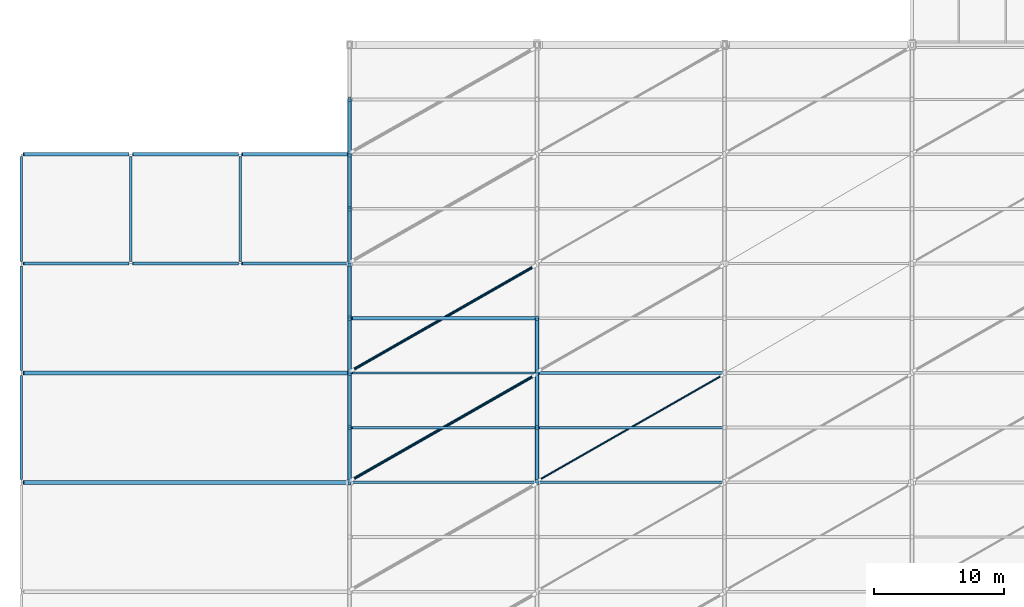
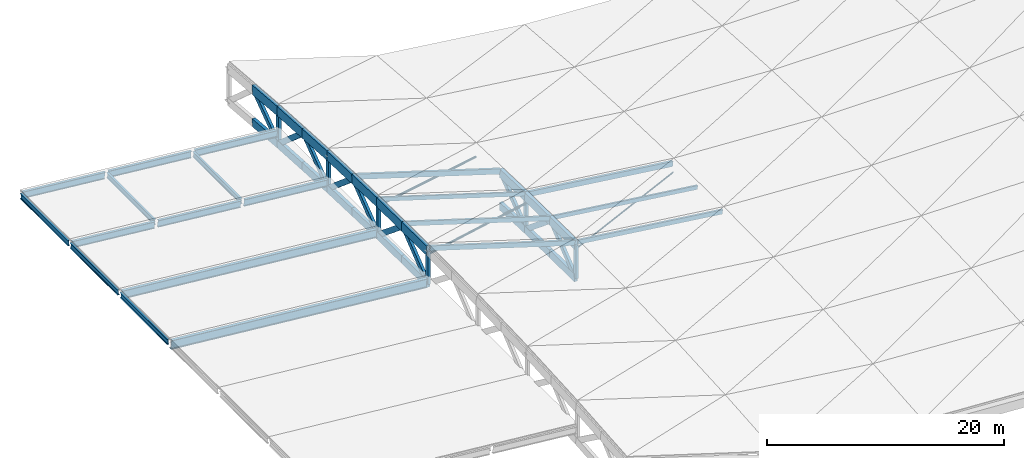
# One storey, part 3 of 22: 33 beams, 26 members.
"""IFC4 building model written with IfcOpenShell, lengths in metres."""

from ifc_helpers import new_model, si_unit, direction, frame, origin, origin_2d, place, context, subcontext, project, spatial, rectangle, hollow_circle, i_section, extrude, material, material_profile, profile_set, type_object, element, save


model = new_model("IFC4")

# Units and contexts
model_context = context("Model", 3, precision=1e-05, world=origin(), true_north=direction((0.0, 1.0)))
body_context = subcontext(model_context, "Body", "Model", "MODEL_VIEW")
ifc_project = project(units=[si_unit("LENGTHUNIT", "METRE"), si_unit("AREAUNIT", "SQUARE_METRE"), si_unit("VOLUMEUNIT", "CUBIC_METRE"), si_unit("PLANEANGLEUNIT", "RADIAN"), si_unit("MASSUNIT", "GRAM", prefix="KILO"), si_unit("THERMODYNAMICTEMPERATUREUNIT", "KELVIN")], contexts=[model_context])

# Site, building, storey
site_placement = place(None, origin())
site = spatial("IfcSite", under=ifc_project, at=site_placement, CompositionType="ELEMENT")
building_placement = place(site_placement, origin())
building = spatial("IfcBuilding", under=site, at=building_placement, Name="Nduvali Passage Aquatics Centre", CompositionType="ELEMENT")
storey_placement = place(building_placement, frame((0.0, 0.0, 21.60009765625)))
storey = spatial("IfcBuildingStorey", under=building, at=storey_placement, Name="RF", CompositionType="ELEMENT", Elevation=21.60009765625)

# Beams
ifc_material_1 = material(Name="Glulam GL32c", Category="wood")
ifc_material_profile_1 = material_profile(ifc_material_1, rectangle(XDim=0.320068359375, YDim=0.800048828125, at=origin_2d()), Name="GL32c 320x800")
ifc_profile_set_1 = profile_set([ifc_material_profile_1], Name="Glulam GL32c")
beam_type_1 = type_object("IfcBeamType", Name="STR-BM-GL32-BOT", PredefinedType="BEAM", material=ifc_profile_set_1)
for number, where, z_axis, x_axis, name in (
    (1, (25.199951171875, 58.800048828125, -3.274169921875), (0.0, 0.999929005763, -0.011915680183), (-1.0, 0.0, 0.0), "RF Pool Hall Roof Truss Bottom Chord R1 BC1-1695"),
    (2, (25.199951171875, 63.0, -3.32421875), (0.0, 0.999929696627, -0.011857563106), (-1.0, 0.0, 0.0), "RF Pool Hall Roof Truss Bottom Chord R1 BC1-1697"),
):
    element("IfcBeam", number, at=place(storey_placement, frame(where, z_axis=z_axis, x_axis=x_axis)), inside=storey, type_object=beam_type_1, Name=name, PredefinedType="BEAM", context=body_context, shape_type="SweptSolid", body=[
        extrude(rectangle(XDim=0.320068359375, YDim=0.800048828125, at=origin_2d()), origin(), (0.0, 0.0, 1.0), 4.2001953125),
    ])
beam_1_placement = place(storey_placement, frame((25.199951171875, 67.199951171875, -3.3740234375), z_axis=(0.0, 0.999361595677, -0.035726755876), x_axis=(-1.0, 0.0, 0.0)))
element("IfcBeam", 3, at=beam_1_placement, inside=storey, type_object=beam_type_1, Name="RF Pool Hall Roof Truss Bottom Chord R1 BC1-1699", PredefinedType="BEAM", context=body_context, shape_type="SweptSolid", body=[
    extrude(rectangle(XDim=0.320068359375, YDim=0.800048828125, at=origin_2d()), origin(), (0.0, 0.0, 1.0), 4.20263671875),
])
beam_2_placement = place(storey_placement, frame((25.199951171875, 71.39990234375, -3.524169921875), z_axis=(0.0, 0.999363742023, -0.035666666915), x_axis=(-1.0, 0.0, 0.0)))
element("IfcBeam", 4, at=beam_2_placement, inside=storey, type_object=beam_type_1, Name="RF Pool Hall Roof Truss Bottom Chord R1 BC1-1701", PredefinedType="BEAM", context=body_context, shape_type="SweptSolid", body=[
    extrude(rectangle(XDim=0.320068359375, YDim=0.800048828125, at=origin_2d()), origin(), (0.0, 0.0, 1.0), 4.202880859375),
])
for number, where, z_axis, x_axis, name in (
    (5, (25.199951171875, 75.60009765625, -3.674072265625), (0.0, 0.998233110761, -0.059419328339), (-1.0, 0.0, 0.0), "RF Pool Hall Roof Truss Bottom Chord R1 BC1-1703"),
    (6, (25.199951171875, 79.800048828125, -3.924072265625), (0.0, 0.998233110761, -0.059419328339), (-1.0, 0.0, 0.0), "RF Pool Hall Roof Truss Bottom Chord R1 BC1-1705"),
):
    element("IfcBeam", number, at=place(storey_placement, frame(where, z_axis=z_axis, x_axis=x_axis)), inside=storey, type_object=beam_type_1, Name=name, PredefinedType="BEAM", context=body_context, shape_type="SweptSolid", body=[
        extrude(rectangle(XDim=0.320068359375, YDim=0.800048828125, at=origin_2d()), origin(), (0.0, 0.0, 1.0), 4.207275390625),
    ])
beam_3_placement = place(storey_placement, frame((25.199951171875, 84.0, -4.174072265625), z_axis=(0.0, 0.996543760423, -0.083069450238), x_axis=(-1.0, 0.0, 0.0)))
element("IfcBeam", 7, at=beam_3_placement, inside=storey, type_object=beam_type_1, Name="RF Pool Hall Roof Truss Bottom Chord R1 BC1-1707", PredefinedType="BEAM", context=body_context, shape_type="SweptSolid", body=[
    extrude(rectangle(XDim=0.320068359375, YDim=0.800048828125, at=origin_2d()), origin(), (0.0, 0.0, 1.0), 4.214599609375),
])
for number, where, z_axis, x_axis, name in (
    (8, (39.60009765625, 58.800048828125, -7.722900390625), (0.0, 0.999929696627, -0.011857563106), (-1.0, 0.0, 0.0), "RF Pool Hall Roof Truss Bottom Chord R2 BC1-1727"),
    (9, (39.60009765625, 63.0, -7.772705078125), (0.0, 0.999929005763, -0.011915680183), (-1.0, 0.0, 0.0), "RF Pool Hall Roof Truss Bottom Chord R2 BC1-1729"),
):
    element("IfcBeam", number, at=place(storey_placement, frame(where, z_axis=z_axis, x_axis=x_axis)), inside=storey, type_object=beam_type_1, Name=name, PredefinedType="BEAM", context=body_context, shape_type="SweptSolid", body=[
        extrude(rectangle(XDim=0.320068359375, YDim=0.800048828125, at=origin_2d()), origin(), (0.0, 0.0, 1.0), 4.2001953125),
    ])
beam_4_placement = place(storey_placement, frame((39.60009765625, 67.199951171875, -7.82275390625), z_axis=(0.0, 0.999361595677, -0.035726755876), x_axis=(-1.0, 0.0, 0.0)))
element("IfcBeam", 10, at=beam_4_placement, inside=storey, type_object=beam_type_1, Name="RF Pool Hall Roof Truss Bottom Chord R2 BC1-1731", PredefinedType="BEAM", context=body_context, shape_type="SweptSolid", body=[
    extrude(rectangle(XDim=0.320068359375, YDim=0.800048828125, at=origin_2d()), origin(), (0.0, 0.0, 1.0), 4.20263671875),
])
ifc_material_profile_2 = material_profile(ifc_material_1, rectangle(XDim=0.320068359375, YDim=0.9599609375, at=origin_2d()), Name="GL32c 320x960")
ifc_profile_set_2 = profile_set([ifc_material_profile_2], Name="Glulam GL32c")
beam_type_2 = type_object("IfcBeamType", Name="STR-BM-GL32-END", PredefinedType="BEAM", material=ifc_profile_set_2)
for number, where, z_axis, x_axis, name in (
    (11, (25.199951171875, 58.800048828125, 0.1259765625), (0.0, 0.999929005763, -0.011915680183), (-1.0, 0.0, 0.0), "RF Pool Hall Roof Truss Top Chord R1 TC0-1694"),
    (12, (25.199951171875, 63.0, 0.075927734375), (0.0, 0.999929005763, -0.011915680183), (-1.0, 0.0, 0.0), "RF Pool Hall Roof Truss Top Chord R1 TC0-1696"),
):
    element("IfcBeam", number, at=place(storey_placement, frame(where, z_axis=z_axis, x_axis=x_axis)), inside=storey, type_object=beam_type_2, Name=name, PredefinedType="BEAM", context=body_context, shape_type="SweptSolid", body=[
        extrude(rectangle(XDim=0.320068359375, YDim=0.9599609375, at=origin_2d()), origin(), (0.0, 0.0, 1.0), 4.2001953125),
    ])
beam_5_placement = place(storey_placement, frame((25.199951171875, 67.199951171875, 0.02587890625), z_axis=(0.0, 0.999363668121, -0.035668737559), x_axis=(-1.0, 0.0, 0.0)))
element("IfcBeam", 13, at=beam_5_placement, inside=storey, type_object=beam_type_2, Name="RF Pool Hall Roof Truss Top Chord R1 TC0-1698", PredefinedType="BEAM", context=body_context, shape_type="SweptSolid", body=[
    extrude(rectangle(XDim=0.320068359375, YDim=0.9599609375, at=origin_2d()), origin(), (0.0, 0.0, 1.0), 4.20263671875),
])
beam_6_placement = place(storey_placement, frame((25.199951171875, 71.39990234375, -0.1240234375), z_axis=(0.0, 0.99936166982, -0.035724681873), x_axis=(-1.0, 0.0, 0.0)))
element("IfcBeam", 14, at=beam_6_placement, inside=storey, type_object=beam_type_2, Name="RF Pool Hall Roof Truss Top Chord R1 TC0-1700", PredefinedType="BEAM", context=body_context, shape_type="SweptSolid", body=[
    extrude(rectangle(XDim=0.320068359375, YDim=0.9599609375, at=origin_2d()), origin(), (0.0, 0.0, 1.0), 4.202880859375),
])
for number, where, z_axis, x_axis, name in (
    (15, (25.199951171875, 75.60009765625, -0.274169921875), (0.0, 0.998233110761, -0.059419328339), (-1.0, 0.0, 0.0), "RF Pool Hall Roof Truss Top Chord R1 TC0-1702"),
    (16, (25.199951171875, 79.800048828125, -0.524169921875), (0.0, 0.998233110761, -0.059419328339), (-1.0, 0.0, 0.0), "RF Pool Hall Roof Truss Top Chord R1 TC0-1704"),
):
    element("IfcBeam", number, at=place(storey_placement, frame(where, z_axis=z_axis, x_axis=x_axis)), inside=storey, type_object=beam_type_2, Name=name, PredefinedType="BEAM", context=body_context, shape_type="SweptSolid", body=[
        extrude(rectangle(XDim=0.320068359375, YDim=0.9599609375, at=origin_2d()), origin(), (0.0, 0.0, 1.0), 4.207275390625),
    ])
beam_7_placement = place(storey_placement, frame((25.199951171875, 84.0, -0.774169921875), z_axis=(0.0, 0.996548554241, -0.083011921073), x_axis=(-1.0, 0.0, 0.0)))
element("IfcBeam", 17, at=beam_7_placement, inside=storey, type_object=beam_type_2, Name="RF Pool Hall Roof Truss Top Chord R1 TC0-1706", PredefinedType="BEAM", context=body_context, shape_type="SweptSolid", body=[
    extrude(rectangle(XDim=0.320068359375, YDim=0.9599609375, at=origin_2d()), origin(), (0.0, 0.0, 1.0), 4.214599609375),
])
ifc_material_profile_3 = material_profile(ifc_material_1, rectangle(XDim=0.320068359375, YDim=0.89990234375, at=origin_2d()), Name="GL32c 320x900")
ifc_profile_set_3 = profile_set([ifc_material_profile_3], Name="Glulam GL32c")
beam_type_3 = type_object("IfcBeamType", Name="STR-BM-GL32-TOP", PredefinedType="BEAM", material=ifc_profile_set_3)
for number, where, z_axis, x_axis, name in (
    (18, (39.60009765625, 58.800048828125, -4.32275390625), (0.0, 0.999929005763, -0.011915680183), (-1.0, 0.0, 0.0), "RF Pool Hall Roof Truss Top Chord R2 TC1-1726"),
    (19, (39.60009765625, 63.0, -4.372802734375), (0.0, 0.999929005763, -0.011915680183), (-1.0, 0.0, 0.0), "RF Pool Hall Roof Truss Top Chord R2 TC1-1728"),
):
    element("IfcBeam", number, at=place(storey_placement, frame(where, z_axis=z_axis, x_axis=x_axis)), inside=storey, type_object=beam_type_3, Name=name, PredefinedType="BEAM", context=body_context, shape_type="SweptSolid", body=[
        extrude(rectangle(XDim=0.320068359375, YDim=0.89990234375, at=origin_2d()), origin(), (0.0, 0.0, 1.0), 4.2001953125),
    ])
beam_8_placement = place(storey_placement, frame((39.60009765625, 67.199951171875, -4.4228515625), z_axis=(0.0, 0.999363668121, -0.035668737559), x_axis=(-1.0, 0.0, 0.0)))
element("IfcBeam", 20, at=beam_8_placement, inside=storey, type_object=beam_type_3, Name="RF Pool Hall Roof Truss Top Chord R2 TC1-1730", PredefinedType="BEAM", context=body_context, shape_type="SweptSolid", body=[
    extrude(rectangle(XDim=0.320068359375, YDim=0.89990234375, at=origin_2d()), origin(), (0.0, 0.0, 1.0), 4.20263671875),
])
ifc_material_2 = material(Name="Steel S355", Category="steel")
ifc_material_profile_4 = material_profile(ifc_material_2, i_section(OverallWidth=0.210693359375, OverallDepth=0.53955078125, WebThickness=0.01171875, FlangeThickness=0.018798828125, FilletRadius=0.0126953125, at=origin_2d()), Name="UKB 533x210x109")
ifc_profile_set_4 = profile_set([ifc_material_profile_4], Name="Steel S355")
beam_type_4 = type_object("IfcBeamType", Name="STR-BM-UKB533", PredefinedType="BEAM", material=ifc_profile_set_4)
for number, where, z_axis, x_axis, name in (
    (21, (8.39990234375, 75.77001953125, -1.393310546875), (0.0, 1.0, 0.0), (-1.0, 0.0, 0.0), "RF Diving Roof N-S Girder B6-1646"),
    (22, (16.800048828125, 75.77001953125, -2.1767578125), (0.0, 1.0, 0.0), (-1.0, 0.0, 0.0), "RF Diving Roof N-S Girder B6-1648"),
):
    element("IfcBeam", number, at=place(storey_placement, frame(where, z_axis=z_axis, x_axis=x_axis)), inside=storey, type_object=beam_type_4, Name=name, PredefinedType="BEAM", context=body_context, shape_type="SweptSolid", body=[
        extrude(i_section(OverallWidth=0.210693359375, OverallDepth=0.53955078125, WebThickness=0.01171875, FlangeThickness=0.018798828125, FilletRadius=0.0126953125, at=origin_2d()), origin(), (0.0, 0.0, 1.0), 8.06005859375),
    ])
ifc_material_profile_5 = material_profile(ifc_material_2, i_section(OverallWidth=0.210693359375, OverallDepth=0.53955078125, WebThickness=0.01171875, FlangeThickness=0.018798828125, FilletRadius=0.0126953125, at=origin_2d()), Name="UKB 533x210x109")
ifc_profile_set_5 = profile_set([ifc_material_profile_5], Name="Steel S355")
beam_type_5 = type_object("IfcBeamType", Name="STR-BM-UKB533-EXT", PredefinedType="BEAM", material=ifc_profile_set_5)
beam_9_placement = place(storey_placement, frame((0.0, 59.0, -0.610107421875), z_axis=(0.0, 1.0, 0.0), x_axis=(-1.0, 0.0, 0.0)))
element("IfcBeam", 23, at=beam_9_placement, inside=storey, type_object=beam_type_5, Name="RF Diving Roof N-S Girder B6E-1642", PredefinedType="BEAM", context=body_context, shape_type="SweptSolid", body=[
    extrude(i_section(OverallWidth=0.210693359375, OverallDepth=0.53955078125, WebThickness=0.01171875, FlangeThickness=0.018798828125, FilletRadius=0.0126953125, at=origin_2d()), origin(), (0.0, 0.0, 1.0), 8.0),
])
beam_10_placement = place(storey_placement, frame((0.0, 67.39990234375, -0.610107421875), z_axis=(0.0, 1.0, 0.0), x_axis=(-1.0, 0.0, 0.0)))
element("IfcBeam", 24, at=beam_10_placement, inside=storey, type_object=beam_type_5, Name="RF Diving Roof N-S Girder B6E-1643", PredefinedType="BEAM", context=body_context, shape_type="SweptSolid", body=[
    extrude(i_section(OverallWidth=0.210693359375, OverallDepth=0.53955078125, WebThickness=0.01171875, FlangeThickness=0.018798828125, FilletRadius=0.0126953125, at=origin_2d()), origin(), (0.0, 0.0, 1.0), 8.030029296875),
])
beam_11_placement = place(storey_placement, frame((0.0, 75.77001953125, -0.610107421875), z_axis=(0.0, 1.0, 0.0), x_axis=(-1.0, 0.0, 0.0)))
element("IfcBeam", 25, at=beam_11_placement, inside=storey, type_object=beam_type_5, Name="RF Diving Roof N-S Girder B6E-1644", PredefinedType="BEAM", context=body_context, shape_type="SweptSolid", body=[
    extrude(i_section(OverallWidth=0.210693359375, OverallDepth=0.53955078125, WebThickness=0.01171875, FlangeThickness=0.018798828125, FilletRadius=0.0126953125, at=origin_2d()), origin(), (0.0, 0.0, 1.0), 8.06005859375),
])
ifc_material_profile_6 = material_profile(ifc_material_2, i_section(OverallWidth=0.253662109375, OverallDepth=0.68359375, WebThickness=0.012451171875, FlangeThickness=0.01904296875, FilletRadius=0.01513671875, at=origin_2d()), Name="UKB 686x254x140")
ifc_profile_set_6 = profile_set([ifc_material_profile_6], Name="Steel S355")
beam_type_6 = type_object("IfcBeamType", Name="STR-BM-UKB686", PredefinedType="BEAM", material=ifc_profile_set_6)
beam_12_placement = place(storey_placement, frame((0.14990234375, 75.60009765625, -0.68212890625), z_axis=(0.995357989666, 0.0, -0.096241739431), x_axis=(0.0, 1.0, 0.0)))
element("IfcBeam", 26, at=beam_12_placement, inside=storey, type_object=beam_type_6, Name="RF Diving Sloped Rafter B4-1658", PredefinedType="BEAM", context=body_context, shape_type="SweptSolid", body=[
    extrude(i_section(OverallWidth=0.253662109375, OverallDepth=0.68359375, WebThickness=0.012451171875, FlangeThickness=0.01904296875, FilletRadius=0.01513671875, at=origin_2d()), origin(), (0.0, 0.0, 1.0), 8.137939453125),
])
beam_13_placement = place(storey_placement, frame((8.550048828125, 75.60009765625, -1.46533203125), z_axis=(0.995354837266, 0.0, -0.096274336823), x_axis=(0.0, 1.0, 0.0)))
element("IfcBeam", 27, at=beam_13_placement, inside=storey, type_object=beam_type_6, Name="RF Diving Sloped Rafter B4-1659", PredefinedType="BEAM", context=body_context, shape_type="SweptSolid", body=[
    extrude(i_section(OverallWidth=0.253662109375, OverallDepth=0.68359375, WebThickness=0.012451171875, FlangeThickness=0.01904296875, FilletRadius=0.01513671875, at=origin_2d()), origin(), (0.0, 0.0, 1.0), 8.1376953125),
])
beam_14_placement = place(storey_placement, frame((16.949951171875, 75.60009765625, -2.248779296875), z_axis=(0.995357989666, 0.0, -0.096241739431), x_axis=(0.0, 1.0, 0.0)))
element("IfcBeam", 28, at=beam_14_placement, inside=storey, type_object=beam_type_6, Name="RF Diving Sloped Rafter B4-1660", PredefinedType="BEAM", context=body_context, shape_type="SweptSolid", body=[
    extrude(i_section(OverallWidth=0.253662109375, OverallDepth=0.68359375, WebThickness=0.012451171875, FlangeThickness=0.01904296875, FilletRadius=0.01513671875, at=origin_2d()), origin(), (0.0, 0.0, 1.0), 8.137939453125),
])
ifc_material_profile_7 = material_profile(ifc_material_2, i_section(OverallWidth=0.253662109375, OverallDepth=0.68359375, WebThickness=0.012451171875, FlangeThickness=0.01904296875, FilletRadius=0.01513671875, at=origin_2d()), Name="UKB 686x254x140")
ifc_profile_set_7 = profile_set([ifc_material_profile_7], Name="Steel S355")
beam_type_7 = type_object("IfcBeamType", Name="STR-BM-UKB686-EXT", PredefinedType="BEAM", material=ifc_profile_set_7)
beam_15_placement = place(storey_placement, frame((0.14990234375, 84.0, -0.68212890625), z_axis=(0.995357989666, 0.0, -0.096241739431), x_axis=(0.0, 1.0, 0.0)))
element("IfcBeam", 29, at=beam_15_placement, inside=storey, type_object=beam_type_7, Name="RF Diving Sloped Rafter B4E-1661", PredefinedType="BEAM", context=body_context, shape_type="SweptSolid", body=[
    extrude(i_section(OverallWidth=0.253662109375, OverallDepth=0.68359375, WebThickness=0.012451171875, FlangeThickness=0.01904296875, FilletRadius=0.01513671875, at=origin_2d()), origin(), (0.0, 0.0, 1.0), 8.137939453125),
])
beam_16_placement = place(storey_placement, frame((8.550048828125, 84.0, -1.46533203125), z_axis=(0.995354837266, 0.0, -0.096274336823), x_axis=(0.0, 1.0, 0.0)))
element("IfcBeam", 30, at=beam_16_placement, inside=storey, type_object=beam_type_7, Name="RF Diving Sloped Rafter B4E-1662", PredefinedType="BEAM", context=body_context, shape_type="SweptSolid", body=[
    extrude(i_section(OverallWidth=0.253662109375, OverallDepth=0.68359375, WebThickness=0.012451171875, FlangeThickness=0.01904296875, FilletRadius=0.01513671875, at=origin_2d()), origin(), (0.0, 0.0, 1.0), 8.1376953125),
])
beam_17_placement = place(storey_placement, frame((16.949951171875, 84.0, -2.248779296875), z_axis=(0.995357989666, 0.0, -0.096241739431), x_axis=(0.0, 1.0, 0.0)))
element("IfcBeam", 31, at=beam_17_placement, inside=storey, type_object=beam_type_7, Name="RF Diving Sloped Rafter B4E-1663", PredefinedType="BEAM", context=body_context, shape_type="SweptSolid", body=[
    extrude(i_section(OverallWidth=0.253662109375, OverallDepth=0.68359375, WebThickness=0.012451171875, FlangeThickness=0.01904296875, FilletRadius=0.01513671875, at=origin_2d()), origin(), (0.0, 0.0, 1.0), 8.137939453125),
])
ifc_material_profile_8 = material_profile(ifc_material_2, i_section(OverallWidth=0.29248046875, OverallDepth=0.8408203125, WebThickness=0.0146484375, FlangeThickness=0.021728515625, FilletRadius=0.017822265625, at=origin_2d()), Name="UKB 838x292x194")
ifc_profile_set_8 = profile_set([ifc_material_profile_8], Name="Steel S355")
beam_type_8 = type_object("IfcBeamType", Name="STR-BM-UKB838", PredefinedType="BEAM", material=ifc_profile_set_8)
beam_18_placement = place(storey_placement, frame((0.14990234375, 67.199951171875, -0.760498046875), z_axis=(0.995576574494, 0.0, -0.093953628551), x_axis=(0.0, 1.0, 0.0)))
element("IfcBeam", 32, at=beam_18_placement, inside=storey, type_object=beam_type_8, Name="RF Diving Long-Span Sloped Rafter B4B-1657", PredefinedType="BEAM", context=body_context, shape_type="SweptSolid", body=[
    extrude(i_section(OverallWidth=0.29248046875, OverallDepth=0.8408203125, WebThickness=0.0146484375, FlangeThickness=0.021728515625, FilletRadius=0.017822265625, at=origin_2d()), origin(), (0.0, 0.0, 1.0), 25.0107421875),
])
ifc_material_profile_9 = material_profile(ifc_material_2, i_section(OverallWidth=0.30419921875, OverallDepth=0.910400390625, WebThickness=0.015869140625, FlangeThickness=0.02392578125, FilletRadius=0.01904296875, at=origin_2d()), Name="UKB 914x305x224")
ifc_profile_set_9 = profile_set([ifc_material_profile_9], Name="Steel S355")
beam_type_9 = type_object("IfcBeamType", Name="STR-BM-UKB914", PredefinedType="BEAM", material=ifc_profile_set_9)
beam_19_placement = place(storey_placement, frame((0.14990234375, 58.800048828125, -0.79541015625), z_axis=(0.995576574494, 0.0, -0.093953628551), x_axis=(0.0, 1.0, 0.0)))
element("IfcBeam", 33, at=beam_19_placement, inside=storey, type_object=beam_type_9, Name="RF Diving Long-Span Sloped Rafter B4A-1656", PredefinedType="BEAM", context=body_context, shape_type="SweptSolid", body=[
    extrude(i_section(OverallWidth=0.30419921875, OverallDepth=0.910400390625, WebThickness=0.015869140625, FlangeThickness=0.02392578125, FilletRadius=0.01904296875, at=origin_2d()), origin(), (0.0, 0.0, 1.0), 25.0107421875),
])

# Members
ifc_material_profile_10 = material_profile(ifc_material_2, hollow_circle(Radius=0.06982421875, WallThickness=0.00634765625, at=origin_2d()), Name="CHS 139.7x6.3")
ifc_profile_set_10 = profile_set([ifc_material_profile_10], Name="Steel S355")
member_type_1 = type_object("IfcMemberType", Name="STR-MEM-CHS139", PredefinedType="BRACE", material=ifc_profile_set_10)
member_1_placement = place(storey_placement, frame((39.800048828125, 59.0, -4.90087890625), z_axis=(0.862054679034, 0.492602673734, -0.11918194572), x_axis=(-0.496138938357, 0.868243142124, 0.0)))
element("IfcMember", 34, at=member_1_placement, inside=storey, type_object=member_type_1, Name="Pool Hall Roof Wind Brace B2-P5A", PredefinedType="BRACE", context=body_context, shape_type="SweptSolid", body=[
    extrude(hollow_circle(Radius=0.06982421875, WallThickness=0.00634765625, at=origin_2d()), origin(), (0.0, 0.0, 1.0), 16.240234375),
])
ifc_material_profile_11 = material_profile(ifc_material_2, hollow_circle(Radius=0.109619140625, WallThickness=0.008056640625, at=origin_2d()), Name="CHS 219.1x8.0")
ifc_profile_set_11 = profile_set([ifc_material_profile_11], Name="Steel S355")
member_type_2 = type_object("IfcMemberType", Name="STR-MEM-CHS219", PredefinedType="BRACE", material=ifc_profile_set_11)
member_2_placement = place(storey_placement, frame((25.39990234375, 59.0, -0.422119140625), z_axis=(0.835223930886, 0.477270817649, -0.273154813055), x_axis=(-0.496138938357, 0.868243142124, 0.0)))
element("IfcMember", 35, at=member_2_placement, inside=storey, type_object=member_type_2, Name="Pool Hall Roof Wind Brace B1-P5A", PredefinedType="BRACE", context=body_context, shape_type="SweptSolid", body=[
    extrude(hollow_circle(Radius=0.109619140625, WallThickness=0.008056640625, at=origin_2d()), origin(), (0.0, 0.0, 1.0), 16.761962890625),
])
member_3_placement = place(storey_placement, frame((25.39990234375, 67.39990234375, -0.522216796875), z_axis=(0.832456803693, 0.47568960211, -0.284139177921), x_axis=(-0.496138938357, 0.868243142124, 0.0)))
element("IfcMember", 36, at=member_3_placement, inside=storey, type_object=member_type_2, Name="Pool Hall Roof Wind Brace B1-P6A", PredefinedType="BRACE", context=body_context, shape_type="SweptSolid", body=[
    extrude(hollow_circle(Radius=0.109619140625, WallThickness=0.008056640625, at=origin_2d()), origin(), (0.0, 0.0, 1.0), 16.817626953125),
])
ifc_material_3 = material(Name="Glulam GL28h", Category="wood")
ifc_material_profile_12 = material_profile(ifc_material_3, rectangle(XDim=0.260009765625, YDim=0.52001953125, at=origin_2d()), Name="GL28h 260x520")
ifc_profile_set_12 = profile_set([ifc_material_profile_12], Name="Glulam GL28h")
member_type_3 = type_object("IfcMemberType", Name="STR-MEM-GL-DIAG", PredefinedType="CHORD", material=ifc_profile_set_12)
member_4_placement = place(storey_placement, frame((25.199951171875, 58.800048828125, -3.274169921875), z_axis=(0.0, 0.781763575378, 0.623574945145), x_axis=(-1.0, 0.0, 0.0)))
element("IfcMember", 37, at=member_4_placement, inside=storey, type_object=member_type_3, Name="Pool Hall Roof Truss Web Diagonal R1-9", PredefinedType="CHORD", context=body_context, shape_type="SweptSolid", body=[
    extrude(rectangle(XDim=0.260009765625, YDim=0.52001953125, at=origin_2d()), origin(), (0.0, 0.0, 1.0), 5.372314453125),
])
member_5_placement = place(storey_placement, frame((25.199951171875, 63.0, 0.075927734375), z_axis=(0.0, 0.772727041362, -0.63473846547), x_axis=(-1.0, 0.0, 0.0)))
element("IfcMember", 38, at=member_5_placement, inside=storey, type_object=member_type_3, Name="Pool Hall Roof Truss Web Diagonal R1-10", PredefinedType="CHORD", context=body_context, shape_type="SweptSolid", body=[
    extrude(rectangle(XDim=0.260009765625, YDim=0.52001953125, at=origin_2d()), origin(), (0.0, 0.0, 1.0), 5.435302734375),
])
member_6_placement = place(storey_placement, frame((25.199951171875, 67.199951171875, -3.3740234375), z_axis=(0.0, 0.790867256885, 0.611987730259), x_axis=(-1.0, 0.0, 0.0)))
element("IfcMember", 39, at=member_6_placement, inside=storey, type_object=member_type_3, Name="Pool Hall Roof Truss Web Diagonal R1-11", PredefinedType="CHORD", context=body_context, shape_type="SweptSolid", body=[
    extrude(rectangle(XDim=0.260009765625, YDim=0.52001953125, at=origin_2d()), origin(), (0.0, 0.0, 1.0), 5.310546875),
])
member_7_placement = place(storey_placement, frame((25.199951171875, 71.39990234375, -0.1240234375), z_axis=(0.0, 0.763741468965, -0.64552224484), x_axis=(-1.0, 0.0, 0.0)))
element("IfcMember", 40, at=member_7_placement, inside=storey, type_object=member_type_3, Name="Pool Hall Roof Truss Web Diagonal R1-12", PredefinedType="CHORD", context=body_context, shape_type="SweptSolid", body=[
    extrude(rectangle(XDim=0.260009765625, YDim=0.52001953125, at=origin_2d()), origin(), (0.0, 0.0, 1.0), 5.49951171875),
])
member_8_placement = place(storey_placement, frame((25.199951171875, 75.60009765625, -3.674072265625), z_axis=(0.0, 0.800005580426, 0.599992559359), x_axis=(-1.0, 0.0, 0.0)))
element("IfcMember", 41, at=member_8_placement, inside=storey, type_object=member_type_3, Name="Pool Hall Roof Truss Web Diagonal R1-13", PredefinedType="CHORD", context=body_context, shape_type="SweptSolid", body=[
    extrude(rectangle(XDim=0.260009765625, YDim=0.52001953125, at=origin_2d()), origin(), (0.0, 0.0, 1.0), 5.25),
])
member_9_placement = place(storey_placement, frame((25.199951171875, 79.800048828125, -0.524169921875), z_axis=(0.0, 0.754803851974, -0.655950566007), x_axis=(-1.0, 0.0, 0.0)))
element("IfcMember", 42, at=member_9_placement, inside=storey, type_object=member_type_3, Name="Pool Hall Roof Truss Web Diagonal R1-14", PredefinedType="CHORD", context=body_context, shape_type="SweptSolid", body=[
    extrude(rectangle(XDim=0.260009765625, YDim=0.52001953125, at=origin_2d()), origin(), (0.0, 0.0, 1.0), 5.564208984375),
])
member_10_placement = place(storey_placement, frame((25.199951171875, 84.0, -4.174072265625), z_axis=(0.0, 0.809144712888, 0.587609422665), x_axis=(-1.0, 0.0, 0.0)))
element("IfcMember", 43, at=member_10_placement, inside=storey, type_object=member_type_3, Name="Pool Hall Roof Truss Web Diagonal R1-15", PredefinedType="CHORD", context=body_context, shape_type="SweptSolid", body=[
    extrude(rectangle(XDim=0.260009765625, YDim=0.52001953125, at=origin_2d()), origin(), (0.0, 0.0, 1.0), 5.190673828125),
])
member_11_placement = place(storey_placement, frame((39.60009765625, 58.800048828125, -7.722900390625), z_axis=(0.0, 0.781763575378, 0.623574945145), x_axis=(-1.0, 0.0, 0.0)))
element("IfcMember", 44, at=member_11_placement, inside=storey, type_object=member_type_3, Name="Pool Hall Roof Truss Web Diagonal R2-9", PredefinedType="CHORD", context=body_context, shape_type="SweptSolid", body=[
    extrude(rectangle(XDim=0.260009765625, YDim=0.52001953125, at=origin_2d()), origin(), (0.0, 0.0, 1.0), 5.372314453125),
])
member_12_placement = place(storey_placement, frame((39.60009765625, 63.0, -4.372802734375), z_axis=(0.0, 0.772727041362, -0.63473846547), x_axis=(-1.0, 0.0, 0.0)))
element("IfcMember", 45, at=member_12_placement, inside=storey, type_object=member_type_3, Name="Pool Hall Roof Truss Web Diagonal R2-10", PredefinedType="CHORD", context=body_context, shape_type="SweptSolid", body=[
    extrude(rectangle(XDim=0.260009765625, YDim=0.52001953125, at=origin_2d()), origin(), (0.0, 0.0, 1.0), 5.435302734375),
])
member_13_placement = place(storey_placement, frame((39.60009765625, 67.199951171875, -7.82275390625), z_axis=(0.0, 0.790867256885, 0.611987730259), x_axis=(-1.0, 0.0, 0.0)))
element("IfcMember", 46, at=member_13_placement, inside=storey, type_object=member_type_3, Name="Pool Hall Roof Truss Web Diagonal R2-11", PredefinedType="CHORD", context=body_context, shape_type="SweptSolid", body=[
    extrude(rectangle(XDim=0.260009765625, YDim=0.52001953125, at=origin_2d()), origin(), (0.0, 0.0, 1.0), 5.310546875),
])
ifc_material_profile_13 = material_profile(ifc_material_3, rectangle(XDim=0.179931640625, YDim=0.39990234375, at=origin_2d()), Name="GL28h 180x400")
ifc_profile_set_13 = profile_set([ifc_material_profile_13], Name="Glulam GL28h")
member_type_4 = type_object("IfcMemberType", Name="STR-MEM-GL-PUR1", PredefinedType="PURLIN", material=ifc_profile_set_13)
member_14_placement = place(storey_placement, frame((25.360107421875, 67.199951171875, 0.26318359375), z_axis=(0.954880673718, 0.0, -0.296989728711), x_axis=(0.0, 1.0, 0.0)))
element("IfcMember", 47, at=member_14_placement, inside=storey, type_object=member_type_4, Name="Pool Hall Saddle Roof Purlin B1-10", PredefinedType="PURLIN", context=body_context, shape_type="SweptSolid", body=[
    extrude(rectangle(XDim=0.179931640625, YDim=0.39990234375, at=origin_2d()), origin(), (0.0, 0.0, 1.0), 14.7451171875),
])
member_15_placement = place(storey_placement, frame((39.760009765625, 63.0, -4.13623046875), z_axis=(0.991972197135, 0.0, -0.126456158852), x_axis=(0.0, 1.0, 0.0)))
element("IfcMember", 48, at=member_15_placement, inside=storey, type_object=member_type_4, Name="Pool Hall Saddle Roof Purlin B2-9", PredefinedType="PURLIN", context=body_context, shape_type="SweptSolid", body=[
    extrude(rectangle(XDim=0.179931640625, YDim=0.39990234375, at=origin_2d()), origin(), (0.0, 0.0, 1.0), 14.194091796875),
])
ifc_material_profile_14 = material_profile(ifc_material_3, rectangle(XDim=0.219970703125, YDim=0.47998046875, at=origin_2d()), Name="GL28h 220x480")
ifc_profile_set_14 = profile_set([ifc_material_profile_14], Name="Glulam GL28h")
member_type_5 = type_object("IfcMemberType", Name="STR-MEM-GL-PUR3", PredefinedType="PURLIN", material=ifc_profile_set_14)
member_16_placement = place(storey_placement, frame((25.360107421875, 58.800048828125, 0.322998046875), z_axis=(0.954885369125, 0.0, -0.296974631628), x_axis=(0.0, 1.0, 0.0)))
element("IfcMember", 49, at=member_16_placement, inside=storey, type_object=member_type_5, Name="Pool Hall Saddle Roof Purlin B1-8", PredefinedType="PURLIN", context=body_context, shape_type="SweptSolid", body=[
    extrude(rectangle(XDim=0.219970703125, YDim=0.47998046875, at=origin_2d()), origin(), (0.0, 0.0, 1.0), 14.7451171875),
])
ifc_material_profile_15 = material_profile(ifc_material_3, rectangle(XDim=0.199951171875, YDim=0.43994140625, at=origin_2d()), Name="GL28h 200x440")
ifc_profile_set_15 = profile_set([ifc_material_profile_15], Name="Glulam GL28h")
member_type_6 = type_object("IfcMemberType", Name="STR-MEM-GL-PUR4", PredefinedType="PURLIN", material=ifc_profile_set_15)
member_17_placement = place(storey_placement, frame((25.360107421875, 63.0, 0.293212890625), z_axis=(0.954880673718, 0.0, -0.296989728711), x_axis=(0.0, 1.0, 0.0)))
element("IfcMember", 50, at=member_17_placement, inside=storey, type_object=member_type_6, Name="Pool Hall Saddle Roof Purlin B1-9", PredefinedType="PURLIN", context=body_context, shape_type="SweptSolid", body=[
    extrude(rectangle(XDim=0.199951171875, YDim=0.43994140625, at=origin_2d()), origin(), (0.0, 0.0, 1.0), 14.7451171875),
])
member_18_placement = place(storey_placement, frame((39.760009765625, 58.800048828125, -4.106201171875), z_axis=(0.991972197135, 0.0, -0.126456158852), x_axis=(0.0, 1.0, 0.0)))
element("IfcMember", 51, at=member_18_placement, inside=storey, type_object=member_type_6, Name="Pool Hall Saddle Roof Purlin B2-8", PredefinedType="PURLIN", context=body_context, shape_type="SweptSolid", body=[
    extrude(rectangle(XDim=0.199951171875, YDim=0.43994140625, at=origin_2d()), origin(), (0.0, 0.0, 1.0), 14.194091796875),
])
ifc_material_profile_16 = material_profile(ifc_material_3, rectangle(XDim=0.239990234375, YDim=0.52001953125, at=origin_2d()), Name="GL28h 240x520")
ifc_profile_set_16 = profile_set([ifc_material_profile_16], Name="Glulam GL28h")
member_type_7 = type_object("IfcMemberType", Name="STR-MEM-GL-PUR5", PredefinedType="PURLIN", material=ifc_profile_set_16)
member_19_placement = place(storey_placement, frame((25.360107421875, 71.39990234375, 0.05322265625), z_axis=(0.954880673718, 0.0, -0.296989728711), x_axis=(0.0, 1.0, 0.0)))
element("IfcMember", 52, at=member_19_placement, inside=storey, type_object=member_type_7, Name="Pool Hall Saddle Roof Purlin B1-11", PredefinedType="PURLIN", context=body_context, shape_type="SweptSolid", body=[
    extrude(rectangle(XDim=0.239990234375, YDim=0.52001953125, at=origin_2d()), origin(), (0.0, 0.0, 1.0), 14.7451171875),
])
member_20_placement = place(storey_placement, frame((39.760009765625, 67.199951171875, -4.24609375), z_axis=(0.991972197135, 0.0, -0.126456158852), x_axis=(0.0, 1.0, 0.0)))
element("IfcMember", 53, at=member_20_placement, inside=storey, type_object=member_type_7, Name="Pool Hall Saddle Roof Purlin B2-10", PredefinedType="PURLIN", context=body_context, shape_type="SweptSolid", body=[
    extrude(rectangle(XDim=0.239990234375, YDim=0.52001953125, at=origin_2d()), origin(), (0.0, 0.0, 1.0), 14.194091796875),
])
ifc_material_profile_17 = material_profile(ifc_material_3, rectangle(XDim=0.260009765625, YDim=0.419921875, at=origin_2d()), Name="GL28h 260x420")
ifc_profile_set_17 = profile_set([ifc_material_profile_17], Name="Glulam GL28h")
member_type_8 = type_object("IfcMemberType", Name="STR-MEM-GL-VERT", PredefinedType="STRUT", material=ifc_profile_set_17)
member_21_placement = place(storey_placement, frame((25.199951171875, 58.800048828125, -3.274169921875), z_axis=(0.0, 0.0, 1.0), x_axis=(1.0, 0.0, 0.0)))
element("IfcMember", 54, at=member_21_placement, inside=storey, type_object=member_type_8, Name="Pool Hall Roof Truss Vertical Strut R1-5", PredefinedType="STRUT", context=body_context, shape_type="SweptSolid", body=[
    extrude(rectangle(XDim=0.260009765625, YDim=0.419921875, at=origin_2d()), origin(), (0.0, 0.0, 1.0), 3.400146484375),
])
for number, where, z_axis, x_axis, name in (
    (55, (25.199951171875, 67.199951171875, -3.3740234375), (0.0, 0.0, 1.0), (1.0, 0.0, 0.0), "Pool Hall Roof Truss Vertical Strut R1-6"),
    (56, (25.199951171875, 75.60009765625, -3.674072265625), (0.0, 0.0, 1.0), (1.0, 0.0, 0.0), "Pool Hall Roof Truss Vertical Strut R1-7"),
    (57, (25.199951171875, 84.0, -4.174072265625), (0.0, 0.0, 1.0), (1.0, 0.0, 0.0), "Pool Hall Roof Truss Vertical Strut R1-8"),
):
    element("IfcMember", number, at=place(storey_placement, frame(where, z_axis=z_axis, x_axis=x_axis)), inside=storey, type_object=member_type_8, Name=name, PredefinedType="STRUT", context=body_context, shape_type="SweptSolid", body=[
        extrude(rectangle(XDim=0.260009765625, YDim=0.419921875, at=origin_2d()), origin(), (0.0, 0.0, 1.0), 3.39990234375),
    ])
member_22_placement = place(storey_placement, frame((39.60009765625, 58.800048828125, -7.722900390625), z_axis=(0.0, 0.0, 1.0), x_axis=(1.0, 0.0, 0.0)))
element("IfcMember", 58, at=member_22_placement, inside=storey, type_object=member_type_8, Name="Pool Hall Roof Truss Vertical Strut R2-5", PredefinedType="STRUT", context=body_context, shape_type="SweptSolid", body=[
    extrude(rectangle(XDim=0.260009765625, YDim=0.419921875, at=origin_2d()), origin(), (0.0, 0.0, 1.0), 3.400146484375),
])
member_23_placement = place(storey_placement, frame((39.60009765625, 67.199951171875, -7.82275390625), z_axis=(0.0, 0.0, 1.0), x_axis=(1.0, 0.0, 0.0)))
element("IfcMember", 59, at=member_23_placement, inside=storey, type_object=member_type_8, Name="Pool Hall Roof Truss Vertical Strut R2-6", PredefinedType="STRUT", context=body_context, shape_type="SweptSolid", body=[
    extrude(rectangle(XDim=0.260009765625, YDim=0.419921875, at=origin_2d()), origin(), (0.0, 0.0, 1.0), 3.39990234375),
])

save(model, "model.ifc")
